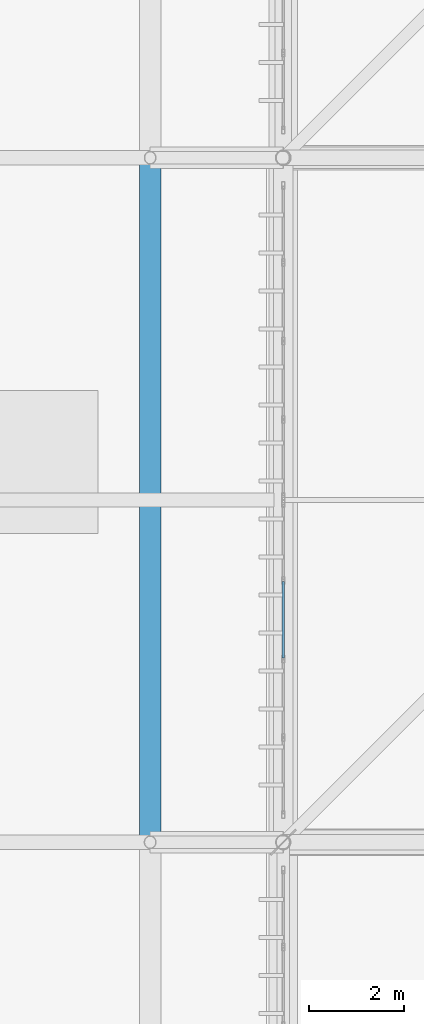
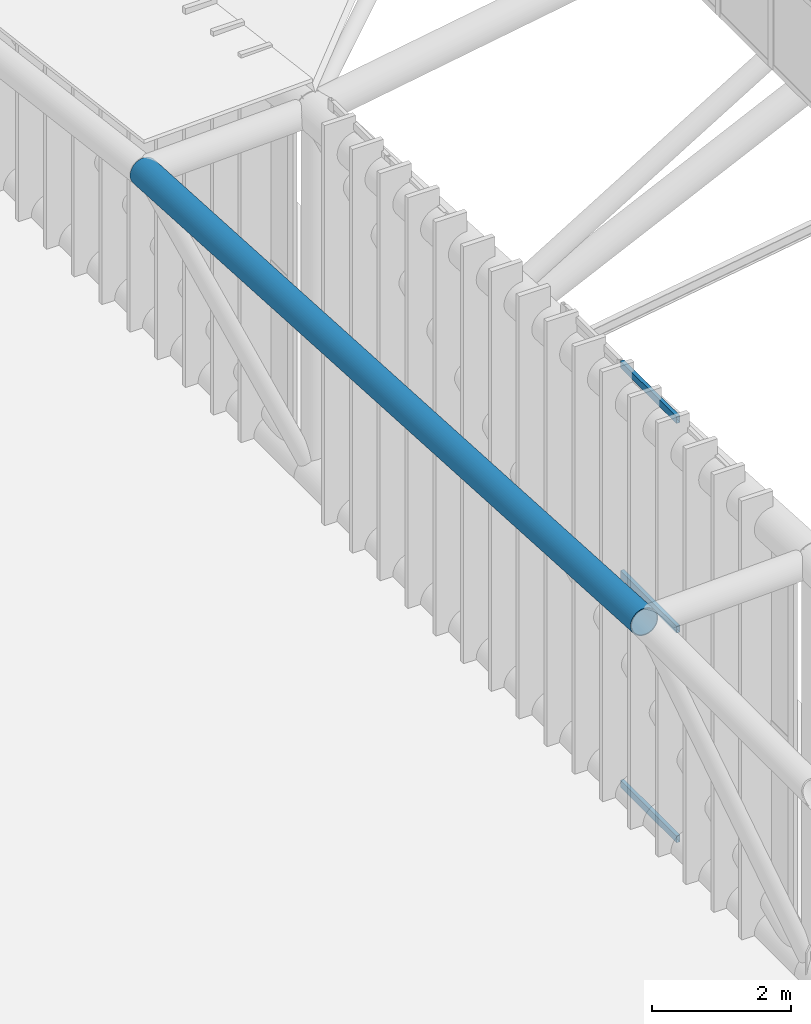
# One storey, part 176 of 397: 3 members, 1 beam, 1 element without a shape of its own.
"""IFC4 building model written with IfcOpenShell, lengths in metres."""

from ifc_helpers import new_model, si_unit, direction, frame, origin, origin_2d, place, context, subcontext, project, spatial, hollow_rectangle, hollow_circle, extrude, material, material_profile, profile_set, type_object, element, aggregate, save


model = new_model("IFC4")

# Units and contexts
model_context = context("Model", 3, precision=1e-05, world=origin(), true_north=direction((0.0, 1.0)))
body_context = subcontext(model_context, "Body", "Model", "MODEL_VIEW")
ifc_project = project(units=[si_unit("LENGTHUNIT", "METRE"), si_unit("AREAUNIT", "SQUARE_METRE"), si_unit("VOLUMEUNIT", "CUBIC_METRE"), si_unit("PLANEANGLEUNIT", "RADIAN"), si_unit("MASSUNIT", "GRAM", prefix="KILO")], contexts=[model_context])

# Site, building, storey
site_placement = place(None, origin())
site = spatial("IfcSite", under=ifc_project, at=site_placement, CompositionType="ELEMENT")
building_placement = place(site_placement, origin())
building = spatial("IfcBuilding", under=site, at=building_placement, Name="Qandorah Velis Arena", CompositionType="ELEMENT")
storey_placement = place(building_placement, frame((0.0, 0.0, 27.5)))
storey = spatial("IfcBuildingStorey", under=building, at=storey_placement, Name="RF", CompositionType="ELEMENT", Elevation=27.5)

# Curtain wall, members
ifc_material_1 = material(Name="Solar-control low-E double glazing", Category="glass")
curtain_wall_type = type_object("IfcCurtainWallType", Name="ARC-CW-SYS05", PredefinedType="USERDEFINED", material=ifc_material_1)
curtain_wall_placement = place(storey_placement, origin())
curtain_wall = element("IfcCurtainWall", 1, at=curtain_wall_placement, inside=storey, type_object=curtain_wall_type, Name="Unitised curtain wall CROWN-1-05S1", ObjectType="UNITISED CURTAIN WALL", PredefinedType="USERDEFINED")
ifc_material_2 = material(Name="Champagne-bronze anodized aluminium 6063-T6", Category="aluminium")
ifc_material_profile_1 = material_profile(ifc_material_2, hollow_rectangle(XDim=0.06005859375, YDim=0.1201171875, WallThickness=0.0029296875, at=origin_2d()), Name="ALU TRANSOM 60x120")
ifc_profile_set_1 = profile_set([ifc_material_profile_1], Name="Champagne-bronze anodized aluminium 6063-T6")
member_type = type_object("IfcMemberType", Name="ARC-CWT-120", PredefinedType="USERDEFINED", material=ifc_profile_set_1)
member_1_placement = place(storey_placement, frame((14.39990234375, 75.873046875, 0.030029296875), z_axis=(0.0, 1.0, 0.0), x_axis=(-1.0, 0.0, 0.0)))
member_1 = element("IfcMember", 2, at=member_1_placement, type_object=member_type, Name="CW05 transom 3.1", ObjectType="TRANSOM", PredefinedType="USERDEFINED", context=body_context, shape_type="SweptSolid", body=[
    extrude(hollow_rectangle(XDim=0.06005859375, YDim=0.1201171875, WallThickness=0.0029296875, at=origin_2d()), origin(), (0.0, 0.0, 1.0), 1.616455078125),
])
member_2_placement = place(storey_placement, frame((14.39990234375, 75.873046875, 3.711181640625), z_axis=(0.0, 1.0, 0.0), x_axis=(-1.0, 0.0, 0.0)))
member_2 = element("IfcMember", 3, at=member_2_placement, type_object=member_type, Name="CW05 transom 3.2", ObjectType="TRANSOM", PredefinedType="USERDEFINED", context=body_context, shape_type="SweptSolid", body=[
    extrude(hollow_rectangle(XDim=0.06005859375, YDim=0.1201171875, WallThickness=0.0029296875, at=origin_2d()), origin(), (0.0, 0.0, 1.0), 1.616455078125),
])
member_3_placement = place(storey_placement, frame((14.39990234375, 75.873046875, 7.392578125), z_axis=(0.0, 1.0, 0.0), x_axis=(-1.0, 0.0, 0.0)))
member_3 = element("IfcMember", 4, at=member_3_placement, type_object=member_type, Name="CW05 transom 3.3", ObjectType="TRANSOM", PredefinedType="USERDEFINED", context=body_context, shape_type="SweptSolid", body=[
    extrude(hollow_rectangle(XDim=0.06005859375, YDim=0.1201171875, WallThickness=0.0029296875, at=origin_2d()), origin(), (0.0, 0.0, 1.0), 1.616455078125),
])
aggregate(curtain_wall, [member_1, member_2, member_3])

# Beam
ifc_material_3 = material(Name="Steel S355", Category="steel")
ifc_material_profile_2 = material_profile(ifc_material_3, hollow_circle(Radius=0.228515625, WallThickness=0.01611328125, at=origin_2d()), Name="CHS 457x16")
ifc_profile_set_2 = profile_set([ifc_material_profile_2], Name="Steel S355")
beam_type = type_object("IfcBeamType", Name="STR-SFC-CHS457X16", PredefinedType="USERDEFINED", material=ifc_profile_set_2)
beam_placement = place(storey_placement, frame((11.60009765625, 72.0, 7.170654296875), z_axis=(0.0, 0.998373647431, -0.057009298507), x_axis=(-1.0, 0.0, 0.0)))
element("IfcBeam", 5, at=beam_placement, inside=storey, type_object=beam_type, Name="Space frame eave fascia ring W-4", ObjectType="ROOF TRUSS", PredefinedType="USERDEFINED", context=body_context, shape_type="SweptSolid", body=[
    extrude(hollow_circle(Radius=0.228515625, WallThickness=0.01611328125, at=origin_2d()), origin(), (0.0, 0.0, 1.0), 14.42333984375),
])

save(model, "model.ifc")
